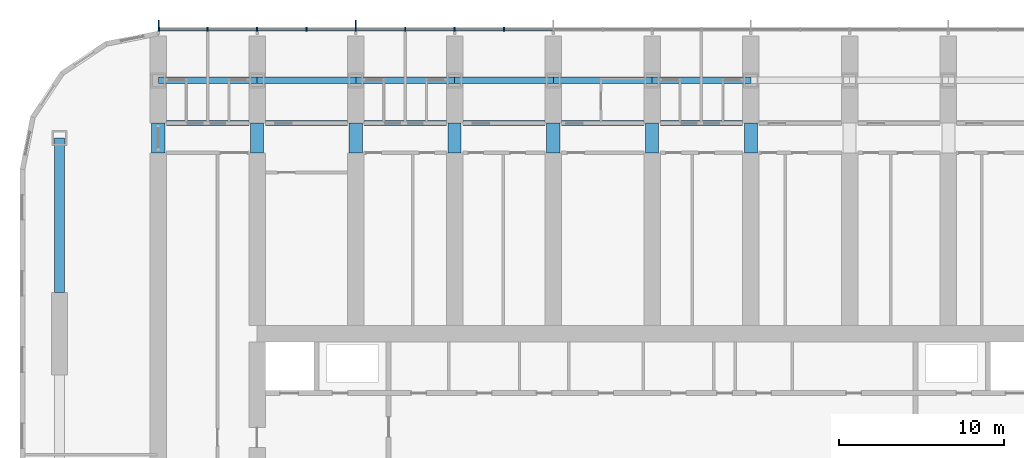
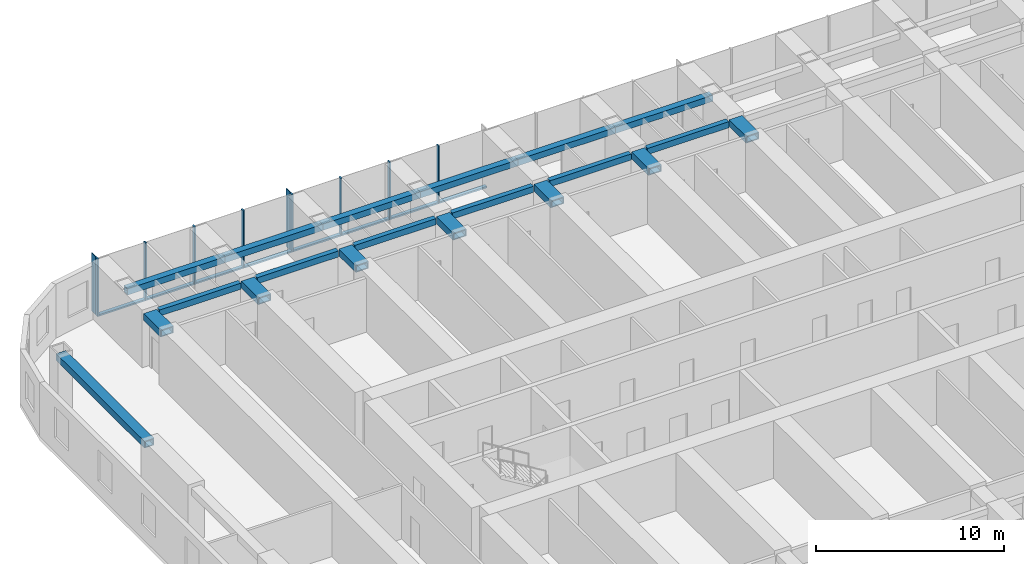
# One storey, part 4 of 23: 20 beams, 18 members, 1 element without a shape of its own.
"""IFC4 building model written with IfcOpenShell, lengths in metres."""

from ifc_helpers import new_model, si_unit, direction, frame, origin, origin_2d, place, context, subcontext, project, spatial, rectangle, hollow_rectangle, extrude, material, material_profile, profile_set, type_object, element, aggregate, save


model = new_model("IFC4")

# Units and contexts
model_context = context("Model", 3, precision=1e-05, world=origin(), true_north=direction((0.0, 1.0)))
body_context = subcontext(model_context, "Body", "Model", "MODEL_VIEW")
ifc_project = project(units=[si_unit("LENGTHUNIT", "METRE"), si_unit("AREAUNIT", "SQUARE_METRE"), si_unit("VOLUMEUNIT", "CUBIC_METRE"), si_unit("PLANEANGLEUNIT", "RADIAN"), si_unit("MASSUNIT", "GRAM", prefix="KILO")], contexts=[model_context])

# Site, building, storey
site_placement = place(None, origin())
site = spatial("IfcSite", under=ifc_project, at=site_placement, CompositionType="ELEMENT")
building_placement = place(site_placement, origin())
building = spatial("IfcBuilding", under=site, at=building_placement, Name="Orbita Commons", CompositionType="ELEMENT")
storey_placement = place(building_placement, frame((0.0, 0.0, 61.449951171875)))
storey = spatial("IfcBuildingStorey", under=building, at=storey_placement, Name="L15", CompositionType="ELEMENT", Elevation=61.449951171875)

# Curtain wall, members
ifc_material_1 = material(Name="Anodised aluminium frame, pale silver", Category="aluminium")
curtain_wall_type = type_object("IfcCurtainWallType", Name="Unitised curtain wall CW-T, vision and spandrel", PredefinedType="NOTDEFINED", material=ifc_material_1)
curtain_wall_placement = place(storey_placement, origin())
curtain_wall = element("IfcCurtainWall", 1, at=curtain_wall_placement, inside=storey, type_object=curtain_wall_type, Name="Curtain wall north L15", PredefinedType="NOTDEFINED")
ifc_material_2 = material(Name="Anodised aluminium, pale silver", Category="aluminium")
ifc_material_profile_1 = material_profile(ifc_material_2, rectangle(XDim=0.080078125, YDim=0.219970703125, at=origin_2d()), Name="AL 80x220")
ifc_profile_set_1 = profile_set([ifc_material_profile_1], Name="Anodised aluminium, pale silver")
member_type_1 = type_object("IfcMemberType", Name="Curtain wall mullion 80x220", PredefinedType="MULLION", material=ifc_profile_set_1)
member_1_placement = place(storey_placement, frame((33.0, 56.7099609375, -0.25), z_axis=(0.0, 0.0, 1.0), x_axis=(-1.0, 0.0, 0.0)))
member_1 = element("IfcMember", 2, at=member_1_placement, type_object=member_type_1, Name="Mullion 14 CW-L15-N", PredefinedType="MULLION", context=body_context, shape_type="SweptSolid", body=[
    extrude(rectangle(XDim=0.080078125, YDim=0.219970703125, at=origin_2d()), origin(), (0.0, 0.0, 1.0), 3.75),
])
member_2_placement = place(storey_placement, frame((30.0, 56.7099609375, -0.25), z_axis=(0.0, 0.0, 1.0), x_axis=(-1.0, 0.0, 0.0)))
member_2 = element("IfcMember", 3, at=member_2_placement, type_object=member_type_1, Name="Mullion 15 CW-L15-N", PredefinedType="MULLION", context=body_context, shape_type="SweptSolid", body=[
    extrude(rectangle(XDim=0.080078125, YDim=0.219970703125, at=origin_2d()), origin(), (0.0, 0.0, 1.0), 3.75),
])
member_3_placement = place(storey_placement, frame((27.0, 56.7099609375, -0.25), z_axis=(0.0, 0.0, 1.0), x_axis=(-1.0, 0.0, 0.0)))
member_3 = element("IfcMember", 4, at=member_3_placement, type_object=member_type_1, Name="Mullion 16 CW-L15-N", PredefinedType="MULLION", context=body_context, shape_type="SweptSolid", body=[
    extrude(rectangle(XDim=0.080078125, YDim=0.219970703125, at=origin_2d()), origin(), (0.0, 0.0, 1.0), 3.75),
])
member_4_placement = place(storey_placement, frame((24.0, 56.7099609375, -0.25), z_axis=(0.0, 0.0, 1.0), x_axis=(-1.0, 0.0, 0.0)))
member_4 = element("IfcMember", 5, at=member_4_placement, type_object=member_type_1, Name="Mullion 17 CW-L15-N", PredefinedType="MULLION", context=body_context, shape_type="SweptSolid", body=[
    extrude(rectangle(XDim=0.080078125, YDim=0.219970703125, at=origin_2d()), origin(), (0.0, 0.0, 1.0), 3.75),
])
member_5_placement = place(storey_placement, frame((21.0, 56.7099609375, -0.25), z_axis=(0.0, 0.0, 1.0), x_axis=(-1.0, 0.0, 0.0)))
member_5 = element("IfcMember", 6, at=member_5_placement, type_object=member_type_1, Name="Mullion 18 CW-L15-N", PredefinedType="MULLION", context=body_context, shape_type="SweptSolid", body=[
    extrude(rectangle(XDim=0.080078125, YDim=0.219970703125, at=origin_2d()), origin(), (0.0, 0.0, 1.0), 3.75),
])
member_6_placement = place(storey_placement, frame((18.0, 56.7099609375, -0.25), z_axis=(0.0, 0.0, 1.0), x_axis=(-1.0, 0.0, 0.0)))
member_6 = element("IfcMember", 7, at=member_6_placement, type_object=member_type_1, Name="Mullion 19 CW-L15-N", PredefinedType="MULLION", context=body_context, shape_type="SweptSolid", body=[
    extrude(rectangle(XDim=0.080078125, YDim=0.219970703125, at=origin_2d()), origin(), (0.0, 0.0, 1.0), 3.75),
])
member_7_placement = place(storey_placement, frame((15.0, 56.7099609375, -0.25), z_axis=(0.0, 0.0, 1.0), x_axis=(-1.0, 0.0, 0.0)))
member_7 = element("IfcMember", 8, at=member_7_placement, type_object=member_type_1, Name="Mullion 20 CW-L15-N", PredefinedType="MULLION", context=body_context, shape_type="SweptSolid", body=[
    extrude(rectangle(XDim=0.080078125, YDim=0.219970703125, at=origin_2d()), origin(), (0.0, 0.0, 1.0), 3.75),
])
member_8_placement = place(storey_placement, frame((12.0400390625, 56.7099609375, -0.25), z_axis=(0.0, 0.0, 1.0), x_axis=(-1.0, 0.0, 0.0)))
member_8 = element("IfcMember", 9, at=member_8_placement, type_object=member_type_1, Name="Mullion 21 CW-L15-N", PredefinedType="MULLION", context=body_context, shape_type="SweptSolid", body=[
    extrude(rectangle(XDim=0.080078125, YDim=0.219970703125, at=origin_2d()), origin(), (0.0, 0.0, 1.0), 3.75),
])
ifc_material_3 = material(Name="Anodised aluminium, pale silver", Category="aluminium")
ifc_material_profile_2 = material_profile(ifc_material_3, rectangle(XDim=0.219970703125, YDim=0.10009765625, at=origin_2d()), Name="AL 220x100")
ifc_profile_set_2 = profile_set([ifc_material_profile_2], Name="Anodised aluminium, pale silver")
member_type_2 = type_object("IfcMemberType", Name="Curtain wall stack transom 220x100", PredefinedType="USERDEFINED", material=ifc_profile_set_2)
member_9_placement = place(storey_placement, frame((35.9599609375, 56.7099609375, -0.199951171875), z_axis=(-1.0, 0.0, 0.0), x_axis=(0.0, -1.0, 0.0)))
member_9 = element("IfcMember", 10, at=member_9_placement, type_object=member_type_2, Name="Transom 13.1 CW-L15-N", ObjectType="TRANSOM", PredefinedType="USERDEFINED", context=body_context, shape_type="SweptSolid", body=[
    extrude(rectangle(XDim=0.219970703125, YDim=0.10009765625, at=origin_2d()), origin(), (0.0, 0.0, 1.0), 2.919921875),
])
member_10_placement = place(storey_placement, frame((32.9599609375, 56.7099609375, -0.199951171875), z_axis=(-1.0, 0.0, 0.0), x_axis=(0.0, -1.0, 0.0)))
member_10 = element("IfcMember", 11, at=member_10_placement, type_object=member_type_2, Name="Transom 14.1 CW-L15-N", ObjectType="TRANSOM", PredefinedType="USERDEFINED", context=body_context, shape_type="SweptSolid", body=[
    extrude(rectangle(XDim=0.219970703125, YDim=0.10009765625, at=origin_2d()), origin(), (0.0, 0.0, 1.0), 2.919921875),
])
member_11_placement = place(storey_placement, frame((29.9599609375, 56.7099609375, -0.199951171875), z_axis=(-1.0, 0.0, 0.0), x_axis=(0.0, -1.0, 0.0)))
member_11 = element("IfcMember", 12, at=member_11_placement, type_object=member_type_2, Name="Transom 15.1 CW-L15-N", ObjectType="TRANSOM", PredefinedType="USERDEFINED", context=body_context, shape_type="SweptSolid", body=[
    extrude(rectangle(XDim=0.219970703125, YDim=0.10009765625, at=origin_2d()), origin(), (0.0, 0.0, 1.0), 2.919921875),
])
member_12_placement = place(storey_placement, frame((26.9599609375, 56.7099609375, -0.199951171875), z_axis=(-1.0, 0.0, 0.0), x_axis=(0.0, -1.0, 0.0)))
member_12 = element("IfcMember", 13, at=member_12_placement, type_object=member_type_2, Name="Transom 16.1 CW-L15-N", ObjectType="TRANSOM", PredefinedType="USERDEFINED", context=body_context, shape_type="SweptSolid", body=[
    extrude(rectangle(XDim=0.219970703125, YDim=0.10009765625, at=origin_2d()), origin(), (0.0, 0.0, 1.0), 2.919921875),
])
member_13_placement = place(storey_placement, frame((23.9599609375, 56.7099609375, -0.199951171875), z_axis=(-1.0, 0.0, 0.0), x_axis=(0.0, -1.0, 0.0)))
member_13 = element("IfcMember", 14, at=member_13_placement, type_object=member_type_2, Name="Transom 17.1 CW-L15-N", ObjectType="TRANSOM", PredefinedType="USERDEFINED", context=body_context, shape_type="SweptSolid", body=[
    extrude(rectangle(XDim=0.219970703125, YDim=0.10009765625, at=origin_2d()), origin(), (0.0, 0.0, 1.0), 2.919921875),
])
member_14_placement = place(storey_placement, frame((20.9599609375, 56.7099609375, -0.199951171875), z_axis=(-1.0, 0.0, 0.0), x_axis=(0.0, -1.0, 0.0)))
member_14 = element("IfcMember", 15, at=member_14_placement, type_object=member_type_2, Name="Transom 18.1 CW-L15-N", ObjectType="TRANSOM", PredefinedType="USERDEFINED", context=body_context, shape_type="SweptSolid", body=[
    extrude(rectangle(XDim=0.219970703125, YDim=0.10009765625, at=origin_2d()), origin(), (0.0, 0.0, 1.0), 2.919921875),
])
member_15_placement = place(storey_placement, frame((17.9599609375, 56.7099609375, -0.199951171875), z_axis=(-1.0, 0.0, 0.0), x_axis=(0.0, -1.0, 0.0)))
member_15 = element("IfcMember", 16, at=member_15_placement, type_object=member_type_2, Name="Transom 19.1 CW-L15-N", ObjectType="TRANSOM", PredefinedType="USERDEFINED", context=body_context, shape_type="SweptSolid", body=[
    extrude(rectangle(XDim=0.219970703125, YDim=0.10009765625, at=origin_2d()), origin(), (0.0, 0.0, 1.0), 2.919921875),
])
member_16_placement = place(storey_placement, frame((14.9599609375, 56.7099609375, -0.199951171875), z_axis=(-1.0, 0.0, 0.0), x_axis=(0.0, -1.0, 0.0)))
member_16 = element("IfcMember", 17, at=member_16_placement, type_object=member_type_2, Name="Transom 20.1 CW-L15-N", ObjectType="TRANSOM", PredefinedType="USERDEFINED", context=body_context, shape_type="SweptSolid", body=[
    extrude(rectangle(XDim=0.219970703125, YDim=0.10009765625, at=origin_2d()), origin(), (0.0, 0.0, 1.0), 2.8798828125),
])

# Beams
ifc_material_4 = material(Name="Steel ASTM A572 Gr 50 welded plate", Category="steel")
ifc_material_profile_3 = material_profile(ifc_material_4, hollow_rectangle(XDim=0.300048828125, YDim=0.39990234375, WallThickness=0.0400390625, at=origin_2d()), Name="BOX 400x300x40")
ifc_profile_set_3 = profile_set([ifc_material_profile_3], Name="Steel ASTM A572 Gr 50 welded plate")
beam_type_1 = type_object("IfcBeamType", Name="Steel corridor link BOX 400x300x40", PredefinedType="BEAM", material=ifc_profile_set_3)
for number, where, z_axis, x_axis, name in (
    (18, (12.5, 51.0, 3.300048828125), (1.0, 0.0, 0.0), (0.0, 1.0, 0.0), "Corridor beam NB 3-4 L15"),
    (19, (18.5, 51.0, 3.300048828125), (1.0, 0.0, 0.0), (0.0, 1.0, 0.0), "Corridor beam NB 4-5 L15"),
    (20, (24.5, 51.0, 3.300048828125), (1.0, 0.0, 0.0), (0.0, 1.0, 0.0), "Corridor beam NB 5-6 L15"),
    (21, (30.5, 51.0, 3.300048828125), (1.0, 0.0, 0.0), (0.0, 1.0, 0.0), "Corridor beam NB 6-7 L15"),
    (22, (36.5, 51.0, 3.300048828125), (1.0, 0.0, 0.0), (0.0, 1.0, 0.0), "Corridor beam NB 7-8 L15"),
    (23, (42.5, 51.0, 3.300048828125), (1.0, 0.0, 0.0), (0.0, 1.0, 0.0), "Corridor beam NB 8-9 L15"),
):
    element("IfcBeam", number, at=place(storey_placement, frame(where, z_axis=z_axis, x_axis=x_axis)), inside=storey, type_object=beam_type_1, Name=name, PredefinedType="BEAM", context=body_context, shape_type="SweptSolid", body=[
        extrude(hollow_rectangle(XDim=0.300048828125, YDim=0.39990234375, WallThickness=0.0400390625, at=origin_2d()), origin(), (0.0, 0.0, 1.0), 5.0),
    ])
ifc_material_5 = material(Name="Steel ASTM A572 Gr 50 welded plate", Category="steel")
ifc_material_profile_4 = material_profile(ifc_material_5, hollow_rectangle(XDim=0.800048828125, YDim=0.449951171875, WallThickness=0.06005859375, at=origin_2d()), Name="BOX 450x800x60")
ifc_profile_set_4 = profile_set([ifc_material_profile_4], Name="Steel ASTM A572 Gr 50 welded plate")
beam_type_2 = type_object("IfcBeamType", Name="Steel coupling link BOX 450x800x60", PredefinedType="LINTEL", material=ifc_profile_set_4)
for number, where, z_axis, x_axis, name in (
    (24, (12.0, 49.199951171875, 3.275146484375), (0.0, 1.0, 0.0), (-1.0, 0.0, 0.0), "Coupling beam 3 north L15"),
    (25, (18.0, 49.199951171875, 3.275146484375), (0.0, 1.0, 0.0), (-1.0, 0.0, 0.0), "Coupling beam 4 north L15"),
    (26, (24.0, 49.199951171875, 3.275146484375), (0.0, 1.0, 0.0), (-1.0, 0.0, 0.0), "Coupling beam 5 north L15"),
    (27, (30.0, 49.199951171875, 3.275146484375), (0.0, 1.0, 0.0), (-1.0, 0.0, 0.0), "Coupling beam 6 north L15"),
    (28, (36.0, 49.199951171875, 3.275146484375), (0.0, 1.0, 0.0), (-1.0, 0.0, 0.0), "Coupling beam 7 north L15"),
    (29, (42.0, 49.199951171875, 3.275146484375), (0.0, 1.0, 0.0), (-1.0, 0.0, 0.0), "Coupling beam 8 north L15"),
    (30, (48.0, 49.199951171875, 3.275146484375), (0.0, 1.0, 0.0), (-1.0, 0.0, 0.0), "Coupling beam 9 north L15"),
):
    element("IfcBeam", number, at=place(storey_placement, frame(where, z_axis=z_axis, x_axis=x_axis)), inside=storey, type_object=beam_type_2, Name=name, PredefinedType="LINTEL", context=body_context, shape_type="SweptSolid", body=[
        extrude(hollow_rectangle(XDim=0.800048828125, YDim=0.449951171875, WallThickness=0.06005859375, at=origin_2d()), origin(), (0.0, 0.0, 1.0), 1.800048828125),
    ])
ifc_material_6 = material(Name="Steel ASTM A572 Gr 50 welded plate", Category="steel")
ifc_material_profile_5 = material_profile(ifc_material_6, hollow_rectangle(XDim=0.60009765625, YDim=0.449951171875, WallThickness=0.06005859375, at=origin_2d()), Name="BOX 450x600x60")
ifc_profile_set_5 = profile_set([ifc_material_profile_5], Name="Steel ASTM A572 Gr 50 welded plate")
beam_type_3 = type_object("IfcBeamType", Name="Steel end frame link BOX 450x600x60", PredefinedType="BEAM", material=ifc_profile_set_5)
beam_placement = place(storey_placement, frame((6.0, 40.699951171875, 3.275146484375), z_axis=(0.0, 1.0, 0.0), x_axis=(-1.0, 0.0, 0.0)))
element("IfcBeam", 31, at=beam_placement, inside=storey, type_object=beam_type_3, Name="End frame beam 2 D-E L15", PredefinedType="BEAM", context=body_context, shape_type="SweptSolid", body=[
    extrude(hollow_rectangle(XDim=0.60009765625, YDim=0.449951171875, WallThickness=0.06005859375, at=origin_2d()), origin(), (0.0, 0.0, 1.0), 9.400146484375),
])
ifc_material_7 = material(Name="Steel ASTM A572 Gr 50 welded plate", Category="steel")
ifc_material_profile_6 = material_profile(ifc_material_7, hollow_rectangle(XDim=0.39990234375, YDim=0.39990234375, WallThickness=0.0400390625, at=origin_2d()), Name="BOX 400x400x40")
ifc_profile_set_6 = profile_set([ifc_material_profile_6], Name="Steel ASTM A572 Gr 50 welded plate")
beam_type_4 = type_object("IfcBeamType", Name="Steel spandrel BOX 400x400x40", PredefinedType="SPANDREL", material=ifc_profile_set_6)
for number, where, z_axis, x_axis, name in (
    (32, (12.0, 53.60009765625, 3.300048828125), (1.0, 0.0, 0.0), (0.0, 1.0, 0.0), "Spandrel beam E 3-4 L15"),
    (33, (18.0, 53.60009765625, 3.300048828125), (1.0, 0.0, 0.0), (0.0, 1.0, 0.0), "Spandrel beam E 4-5 L15"),
    (34, (24.0, 53.60009765625, 3.300048828125), (1.0, 0.0, 0.0), (0.0, 1.0, 0.0), "Spandrel beam E 5-6 L15"),
    (35, (30.0, 53.60009765625, 3.300048828125), (1.0, 0.0, 0.0), (0.0, 1.0, 0.0), "Spandrel beam E 6-7 L15"),
    (36, (36.0, 53.60009765625, 3.300048828125), (1.0, 0.0, 0.0), (0.0, 1.0, 0.0), "Spandrel beam E 7-8 L15"),
    (37, (42.0, 53.60009765625, 3.300048828125), (1.0, 0.0, 0.0), (0.0, 1.0, 0.0), "Spandrel beam E 8-9 L15"),
):
    element("IfcBeam", number, at=place(storey_placement, frame(where, z_axis=z_axis, x_axis=x_axis)), inside=storey, type_object=beam_type_4, Name=name, PredefinedType="SPANDREL", context=body_context, shape_type="SweptSolid", body=[
        extrude(hollow_rectangle(XDim=0.39990234375, YDim=0.39990234375, WallThickness=0.0400390625, at=origin_2d()), origin(), (0.0, 0.0, 1.0), 6.0),
    ])

# Member
ifc_material_8 = material(Name="Anodised aluminium, pale silver", Category="aluminium")
ifc_material_profile_7 = material_profile(ifc_material_8, rectangle(XDim=0.06005859375, YDim=0.449951171875, at=origin_2d()), Name="FIN 60x450")
ifc_profile_set_7 = profile_set([ifc_material_profile_7], Name="Anodised aluminium, pale silver")
member_type_3 = type_object("IfcMemberType", Name="Vertical fin 60x450 pale aluminium", PredefinedType="USERDEFINED", material=ifc_profile_set_7)
member_17_placement = place(storey_placement, frame((24.0, 57.044921875, -0.25), z_axis=(0.0, 0.0, 1.0), x_axis=(-1.0, 0.0, 0.0)))
member_17 = element("IfcMember", 38, at=member_17_placement, type_object=member_type_3, Name="Fin 17 CW-L15-N", ObjectType="FIN", PredefinedType="USERDEFINED", context=body_context, shape_type="SweptSolid", body=[
    extrude(rectangle(XDim=0.06005859375, YDim=0.449951171875, at=origin_2d()), origin(), (0.0, 0.0, 1.0), 3.75),
])

member_18_placement = place(storey_placement, frame((12.0400390625, 57.044921875, -0.25), z_axis=(0.0, 0.0, 1.0), x_axis=(-1.0, 0.0, 0.0)))
member_18 = element("IfcMember", 39, at=member_18_placement, type_object=member_type_3, Name="Fin 21 CW-L15-N", ObjectType="FIN", PredefinedType="USERDEFINED", context=body_context, shape_type="SweptSolid", body=[
    extrude(rectangle(XDim=0.06005859375, YDim=0.449951171875, at=origin_2d()), origin(), (0.0, 0.0, 1.0), 3.75),
])

aggregate(curtain_wall, [member_1, member_2, member_3, member_4, member_17, member_5, member_6, member_7, member_8, member_18, member_9, member_10, member_11, member_12, member_13, member_14, member_15, member_16])

save(model, "model.ifc")
